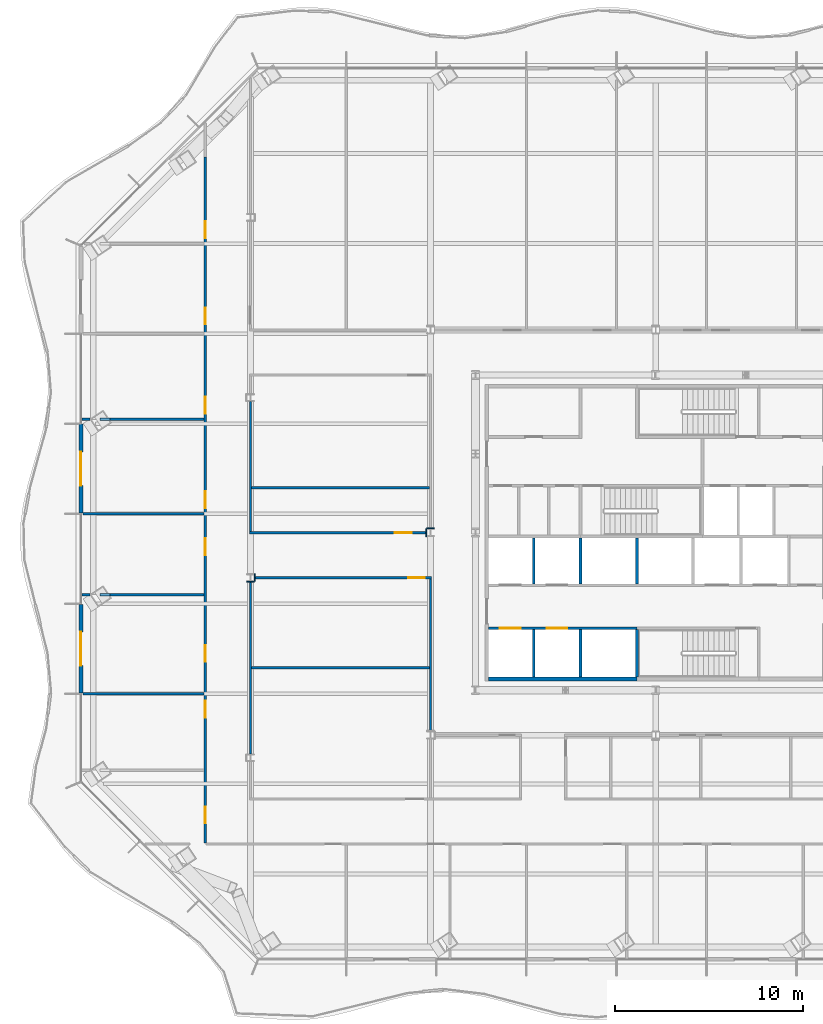
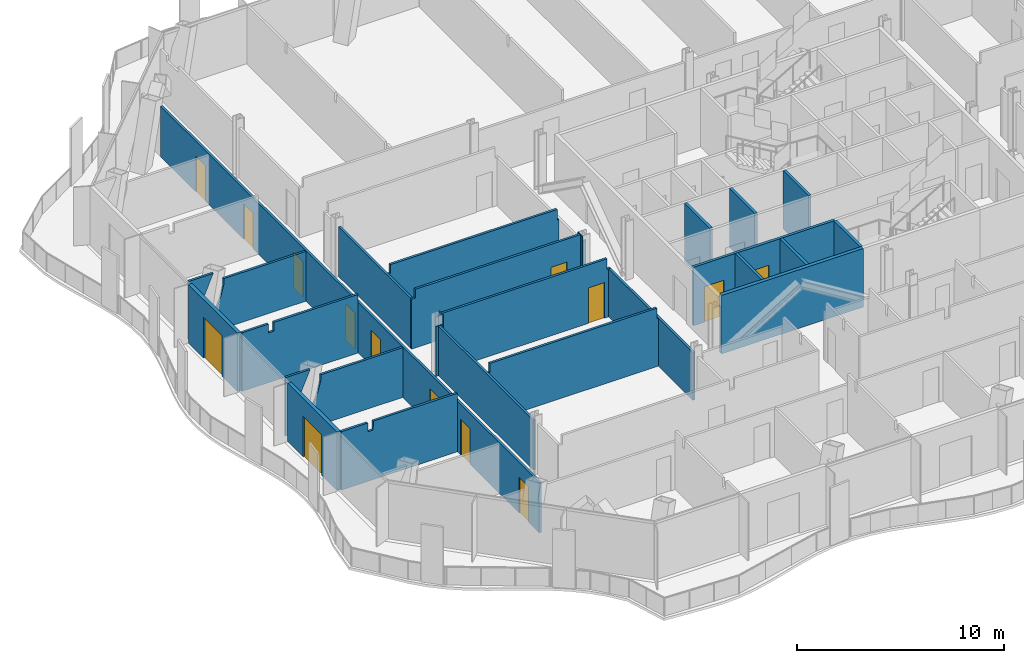
# One storey, part 8 of 22: 28 walls, 14 doors, 14 openings.
"""IFC4 building model written with IfcOpenShell, lengths in metres."""

from ifc_helpers import new_model, si_unit, direction, frame, frame_2d, origin, place, context, subcontext, project, spatial, polyline, rectangle, outline, extrude, material, layer, layer_set, type_object, element, fill, save


model = new_model("IFC4")

# Units and contexts
model_context = context("Model", 3, precision=1e-05, world=origin(), true_north=direction((0.0, 1.0)))
body_context = subcontext(model_context, "Body", "Model", "MODEL_VIEW")
ifc_project = project(units=[si_unit("LENGTHUNIT", "METRE"), si_unit("AREAUNIT", "SQUARE_METRE"), si_unit("VOLUMEUNIT", "CUBIC_METRE"), si_unit("PLANEANGLEUNIT", "RADIAN"), si_unit("MASSUNIT", "GRAM", prefix="KILO")], contexts=[model_context])

# Site, building, storey
site_placement = place(None, origin())
site = spatial("IfcSite", under=ifc_project, at=site_placement, CompositionType="ELEMENT")
building_placement = place(site_placement, origin())
building = spatial("IfcBuilding", under=site, at=building_placement, Name="Cairn Pilgrim Tower", CompositionType="ELEMENT")
storey_placement = place(building_placement, frame((0.0, 0.0, 105.0)))
storey = spatial("IfcBuildingStorey", under=building, at=storey_placement, Name="L25", CompositionType="ELEMENT", Elevation=105.0)

# Wall, opening, door
ifc_material_1 = material(Name="Bronze anodised aluminium insulated sandwich panel with mineral wool fill", Category="aluminium")
ifc_layer_1 = layer(ifc_material_1, 0.199951171875)
ifc_layer_set_1 = layer_set([ifc_layer_1], Name="BRONZE INFILL FRAME WALL 200")
wall_type_1 = type_object("IfcWallType", Name="BRONZE INFILL FRAME WALL 200", PredefinedType="NOTDEFINED", material=ifc_layer_set_1)
wall_1_placement = place(storey_placement, frame((-23.43701171875, 8.1787109375, 0.0), z_axis=(0.0, 0.0, 1.0), x_axis=(0.0, -1.0, 0.0)))
wall_1 = element("IfcWall", 1, at=wall_1_placement, inside=storey, type_object=wall_type_1, Name="Bronze infill frame wall IW-W3", PredefinedType="NOTDEFINED", context=body_context, shape_type="SweptSolid", body=[
    extrude(rectangle(XDim=4.739990234375, YDim=0.199951171875, at=frame_2d((2.3701171875, 0.0))), origin(), (0.0, 0.0, 1.0), 3.449951171875),
])
opening_1_placement = place(wall_1_placement, frame((1.4697265625, 0.0, 0.0)))
opening_1 = element("IfcOpeningElement", 2, at=opening_1_placement, cuts=wall_1, Name="Opening 2512B", PredefinedType="OPENING", context=body_context, shape_type="SweptSolid", body=[
    extrude(rectangle(XDim=1.800048828125, YDim=2.39990234375, at=frame_2d((0.89990234375, 1.199951171875))), frame((0.0, 0.10986328125, 0.0), z_axis=(0.0, -1.0, 0.0), x_axis=(1.0, 0.0, 0.0)), (0.0, 0.0, 1.0), 0.219970703125),
])
ifc_material_2 = material(Name="Bronze anodised aluminium frame with tinted low-E glass", Category="aluminium")
door_type_1 = type_object("IfcDoorType", Name="BALCONY SLIDING DOOR 1800x2400", OperationType="DOUBLE_DOOR_SLIDING", PredefinedType="DOOR", material=ifc_material_2)
door_1_placement = place(opening_1_placement, origin())
door_1 = element("IfcDoor", 3, at=door_1_placement, inside=storey, type_object=door_type_1, Name="Balcony sliding door 2512B", OperationType="SINGLE_SWING_LEFT", OverallHeight=2.39990234375, OverallWidth=1.800048828125, PredefinedType="DOOR", context=body_context, shape_type="SweptSolid", body=[
    extrude(rectangle(XDim=1.800048828125, YDim=2.39990234375, at=frame_2d((0.89990234375, 1.199951171875))), frame((0.0, 0.02490234375, 0.0), z_axis=(0.0, -1.0, 0.0), x_axis=(1.0, 0.0, 0.0)), (0.0, 0.0, 1.0), 0.050048828125),
])
fill(opening_1, door_1)

wall_2_placement = place(storey_placement, frame((-23.43701171875, -1.42138671875, 0.0), z_axis=(0.0, 0.0, 1.0), x_axis=(0.0, -1.0, 0.0)))
wall_2 = element("IfcWall", 4, at=wall_2_placement, inside=storey, type_object=wall_type_1, Name="Bronze infill frame wall IW-W5", PredefinedType="NOTDEFINED", context=body_context, shape_type="SweptSolid", body=[
    extrude(rectangle(XDim=4.739990234375, YDim=0.199951171875, at=frame_2d((2.3701171875, 0.0))), origin(), (0.0, 0.0, 1.0), 3.449951171875),
])
opening_2_placement = place(wall_2_placement, frame((1.4697265625, 0.0, 0.0)))
opening_2 = element("IfcOpeningElement", 5, at=opening_2_placement, cuts=wall_2, Name="Opening 2510B", PredefinedType="OPENING", context=body_context, shape_type="SweptSolid", body=[
    extrude(rectangle(XDim=1.800048828125, YDim=2.39990234375, at=frame_2d((0.89990234375, 1.199951171875))), frame((0.0, 0.10986328125, 0.0), z_axis=(0.0, -1.0, 0.0), x_axis=(1.0, 0.0, 0.0)), (0.0, 0.0, 1.0), 0.219970703125),
])
door_2_placement = place(opening_2_placement, origin())
door_2 = element("IfcDoor", 6, at=door_2_placement, inside=storey, type_object=door_type_1, Name="Balcony sliding door 2510B", OperationType="SINGLE_SWING_LEFT", OverallHeight=2.39990234375, OverallWidth=1.800048828125, PredefinedType="DOOR", context=body_context, shape_type="SweptSolid", body=[
    extrude(rectangle(XDim=1.800048828125, YDim=2.39990234375, at=frame_2d((0.89990234375, 1.199951171875))), frame((0.0, 0.02490234375, 0.0), z_axis=(0.0, -1.0, 0.0), x_axis=(1.0, 0.0, 0.0)), (0.0, 0.0, 1.0), 0.050048828125),
])
fill(opening_2, door_2)

# Wall
ifc_material_3 = material(Name="Concrete C32/40", Category="concrete")
ifc_layer_2 = layer(ifc_material_3, 0.199951171875)
ifc_layer_set_2 = layer_set([ifc_layer_2], Name="CORE OUTER WALL 200 EI 120")
wall_type_2 = type_object("IfcWallType", Name="CORE OUTER WALL 200 EI 120", PredefinedType="SOLIDWALL", material=ifc_layer_set_2)
wall_3_placement = place(storey_placement, frame((-1.699951171875, -5.39990234375, 0.0), z_axis=(0.0, 0.0, 1.0), x_axis=(1.0, 0.0, 0.0)))
element("IfcWall", 7, at=wall_3_placement, inside=storey, type_object=wall_type_2, Name="CW:L25:H01-1", PredefinedType="SOLIDWALL", context=body_context, shape_type="SweptSolid", body=[
    extrude(rectangle(XDim=7.89990234375, YDim=0.199951171875, at=frame_2d((3.949951171875, 0.0))), origin(), (0.0, 0.0, 1.0), 3.449951171875),
])

# Wall, openings, doors
ifc_layer_3 = layer(ifc_material_3, 0.14990234375)
ifc_layer_set_3 = layer_set([ifc_layer_3], Name="CORE SHAFT WALL 150 EI 120")
wall_type_3 = type_object("IfcWallType", Name="CORE SHAFT WALL 150 EI 120", PredefinedType="SOLIDWALL", material=ifc_layer_set_3)
wall_4_placement = place(storey_placement, frame((-1.699951171875, -2.699951171875, 0.0), z_axis=(0.0, 0.0, 1.0), x_axis=(1.0, 0.0, 0.0)))
wall_4 = element("IfcWall", 8, at=wall_4_placement, inside=storey, type_object=wall_type_3, Name="CW:L25:H02-1", PredefinedType="SOLIDWALL", context=body_context, shape_type="SweptSolid", body=[
    extrude(rectangle(XDim=7.89990234375, YDim=0.14990234375, at=frame_2d((3.949951171875, 0.0))), origin(), (0.0, 0.0, 1.0), 3.449951171875),
])
opening_3_placement = place(wall_4_placement, frame((0.60009765625, 0.0, 0.0)))
opening_3 = element("IfcOpeningElement", 9, at=opening_3_placement, cuts=wall_4, Name="Opening LD-LR1", PredefinedType="OPENING", context=body_context, shape_type="SweptSolid", body=[
    extrude(rectangle(XDim=1.10009765625, YDim=2.10009765625, at=frame_2d((0.550048828125, 1.050048828125))), frame((0.0, 0.0849609375, 0.0), z_axis=(0.0, -1.0, 0.0), x_axis=(1.0, 0.0, 0.0)), (0.0, 0.0, 1.0), 0.169921875),
])
opening_4_placement = place(wall_4_placement, frame((3.10009765625, 0.0, 0.0)))
opening_4 = element("IfcOpeningElement", 10, at=opening_4_placement, cuts=wall_4, Name="Opening LD-LR2", PredefinedType="OPENING", context=body_context, shape_type="SweptSolid", body=[
    extrude(rectangle(XDim=1.10009765625, YDim=2.10009765625, at=frame_2d((0.550048828125, 1.050048828125))), frame((0.0, 0.0849609375, 0.0), z_axis=(0.0, -1.0, 0.0), x_axis=(1.0, 0.0, 0.0)), (0.0, 0.0, 1.0), 0.169921875),
])
ifc_material_4 = material(Name="Stainless steel", Category="steel")
door_type_2 = type_object("IfcDoorType", Name="LIFT LANDING DOOR 1100x2100", OperationType="DOUBLE_DOOR_SLIDING", PredefinedType="DOOR", material=ifc_material_4)
door_3_placement = place(opening_3_placement, origin())
door_3 = element("IfcDoor", 11, at=door_3_placement, inside=storey, type_object=door_type_2, Name="LANDING DOOR LR1", OperationType="DOUBLE_DOOR_SLIDING", OverallHeight=2.10009765625, OverallWidth=1.10009765625, PredefinedType="DOOR", context=body_context, shape_type="SweptSolid", body=[
    extrude(rectangle(XDim=1.10009765625, YDim=2.10009765625, at=frame_2d((0.550048828125, 1.050048828125))), frame((0.0, 0.02490234375, 0.0), z_axis=(0.0, -1.0, 0.0), x_axis=(1.0, 0.0, 0.0)), (0.0, 0.0, 1.0), 0.050048828125),
])
fill(opening_3, door_3)
door_4_placement = place(opening_4_placement, origin())
door_4 = element("IfcDoor", 12, at=door_4_placement, inside=storey, type_object=door_type_2, Name="LANDING DOOR LR2", OperationType="DOUBLE_DOOR_SLIDING", OverallHeight=2.10009765625, OverallWidth=1.10009765625, PredefinedType="DOOR", context=body_context, shape_type="SweptSolid", body=[
    extrude(rectangle(XDim=1.10009765625, YDim=2.10009765625, at=frame_2d((0.550048828125, 1.050048828125))), frame((0.0, 0.02490234375, 0.0), z_axis=(0.0, -1.0, 0.0), x_axis=(1.0, 0.0, 0.0)), (0.0, 0.0, 1.0), 0.050048828125),
])
fill(opening_4, door_4)

# Walls
wall_5_placement = place(storey_placement, frame((0.699951171875, -5.300048828125, 0.0), z_axis=(0.0, 0.0, 1.0), x_axis=(0.0, 1.0, 0.0)))
element("IfcWall", 13, at=wall_5_placement, inside=storey, type_object=wall_type_3, Name="CW:L25:V14", PredefinedType="SOLIDWALL", context=body_context, shape_type="SweptSolid", body=[
    extrude(rectangle(XDim=2.525146484375, YDim=0.14990234375, at=frame_2d((1.2626953125, 0.0))), origin(), (0.0, 0.0, 1.0), 3.449951171875),
])
wall_6_placement = place(storey_placement, frame((0.699951171875, -0.324951171875, 0.0), z_axis=(0.0, 0.0, 1.0), x_axis=(0.0, 1.0, 0.0)))
element("IfcWall", 14, at=wall_6_placement, inside=storey, type_object=wall_type_3, Name="CW:L25:V15", PredefinedType="SOLIDWALL", context=body_context, shape_type="SweptSolid", body=[
    extrude(rectangle(XDim=2.449951171875, YDim=0.14990234375, at=frame_2d((1.22509765625, 0.0))), origin(), (0.0, 0.0, 1.0), 3.449951171875),
])
wall_7_placement = place(storey_placement, frame((3.199951171875, -5.300048828125, 0.0), z_axis=(0.0, 0.0, 1.0), x_axis=(0.0, 1.0, 0.0)))
element("IfcWall", 15, at=wall_7_placement, inside=storey, type_object=wall_type_3, Name="CW:L25:V17", PredefinedType="SOLIDWALL", context=body_context, shape_type="SweptSolid", body=[
    extrude(rectangle(XDim=2.525146484375, YDim=0.14990234375, at=frame_2d((1.2626953125, 0.0))), origin(), (0.0, 0.0, 1.0), 3.449951171875),
])
for number, where, z_axis, x_axis, name in (
    (16, (3.199951171875, -0.324951171875, 0.0), (0.0, 0.0, 1.0), (0.0, 1.0, 0.0), "CW:L25:V18"),
    (17, (6.199951171875, -0.324951171875, 0.0), (0.0, 0.0, 1.0), (0.0, 1.0, 0.0), "CW:L25:V22"),
):
    element("IfcWall", number, at=place(storey_placement, frame(where, z_axis=z_axis, x_axis=x_axis)), inside=storey, type_object=wall_type_3, Name=name, PredefinedType="SOLIDWALL", context=body_context, shape_type="SweptSolid", body=[
        extrude(rectangle(XDim=2.449951171875, YDim=0.14990234375, at=frame_2d((1.22509765625, 0.0))), origin(), (0.0, 0.0, 1.0), 3.449951171875),
    ])

# Wall, openings, doors
ifc_material_5 = material(Name="Gypsum partition")
ifc_layer_4 = layer(ifc_material_5, 0.125)
ifc_layer_set_4 = layer_set([ifc_layer_4], Name="PARTITION 125 DRYWALL EI 60")
wall_type_4 = type_object("IfcWallType", Name="PARTITION 125 DRYWALL EI 60", PredefinedType="PARTITIONING", material=ifc_layer_set_4)
wall_8_placement = place(storey_placement, frame((-16.800048828125, -14.137451171875, 0.0), z_axis=(0.0, 0.0, 1.0), x_axis=(0.0, 1.0, 0.0)))
wall_8 = element("IfcWall", 18, at=wall_8_placement, inside=storey, type_object=wall_type_4, Name="PARTITION W015", PredefinedType="PARTITIONING", context=body_context, shape_type="SweptSolid", body=[
    extrude(outline(polyline([(0.0, 0.0), (36.554443359375, 0.0), (36.554443359375, 0.862548828125), (36.554443359375, 1.72509765625), (36.554443359375, 2.58740234375), (36.554443359375, 2.97998046875), (0.0, 2.97998046875), (0.0, 2.58740234375), (0.0, 1.72509765625), (0.0, 0.862548828125), (0.0, 0.0)])), frame((0.0, 0.0625, 0.0), z_axis=(0.0, -1.0, 0.0), x_axis=(1.0, 0.0, 0.0)), (0.0, 0.0, 1.0), 0.125),
])
opening_5_placement = place(wall_8_placement, frame((1.03759765625, 0.0, 0.0)))
opening_5 = element("IfcOpeningElement", 19, at=opening_5_placement, cuts=wall_8, Name="Opening 2508", PredefinedType="OPENING", context=body_context, shape_type="SweptSolid", body=[
    extrude(rectangle(XDim=0.89990234375, YDim=2.10009765625, at=frame_2d((0.449951171875, 1.050048828125))), frame((0.0, 0.072509765625, 0.0), z_axis=(0.0, -1.0, 0.0), x_axis=(1.0, 0.0, 0.0)), (0.0, 0.0, 1.0), 0.14501953125),
])
opening_6_placement = place(wall_8_placement, frame((6.678466796875, 0.0, 0.0)))
opening_6 = element("IfcOpeningElement", 20, at=opening_6_placement, cuts=wall_8, Name="Opening 2509", PredefinedType="OPENING", context=body_context, shape_type="SweptSolid", body=[
    extrude(rectangle(XDim=0.89990234375, YDim=2.10009765625, at=frame_2d((0.449951171875, 1.050048828125))), frame((0.0, 0.072509765625, 0.0), z_axis=(0.0, -1.0, 0.0), x_axis=(1.0, 0.0, 0.0)), (0.0, 0.0, 1.0), 0.14501953125),
])
opening_7_placement = place(wall_8_placement, frame((9.646484375, 0.0, 0.0)))
opening_7 = element("IfcOpeningElement", 21, at=opening_7_placement, cuts=wall_8, Name="Opening 2510", PredefinedType="OPENING", context=body_context, shape_type="SweptSolid", body=[
    extrude(rectangle(XDim=0.89990234375, YDim=2.10009765625, at=frame_2d((0.449951171875, 1.050048828125))), frame((0.0, 0.072509765625, 0.0), z_axis=(0.0, -1.0, 0.0), x_axis=(1.0, 0.0, 0.0)), (0.0, 0.0, 1.0), 0.14501953125),
])
opening_8_placement = place(wall_8_placement, frame((15.33740234375, 0.0, 0.0)))
opening_8 = element("IfcOpeningElement", 22, at=opening_8_placement, cuts=wall_8, Name="Opening 2511", PredefinedType="OPENING", context=body_context, shape_type="SweptSolid", body=[
    extrude(rectangle(XDim=0.89990234375, YDim=2.10009765625, at=frame_2d((0.449951171875, 1.050048828125))), frame((0.0, 0.072509765625, 0.0), z_axis=(0.0, -1.0, 0.0), x_axis=(1.0, 0.0, 0.0)), (0.0, 0.0, 1.0), 0.14501953125),
])
opening_9_placement = place(wall_8_placement, frame((17.846435546875, 0.0, 0.0)))
opening_9 = element("IfcOpeningElement", 23, at=opening_9_placement, cuts=wall_8, Name="Opening 2512", PredefinedType="OPENING", context=body_context, shape_type="SweptSolid", body=[
    extrude(rectangle(XDim=0.89990234375, YDim=2.10009765625, at=frame_2d((0.449951171875, 1.050048828125))), frame((0.0, 0.072509765625, 0.0), z_axis=(0.0, -1.0, 0.0), x_axis=(1.0, 0.0, 0.0)), (0.0, 0.0, 1.0), 0.14501953125),
])
opening_10_placement = place(wall_8_placement, frame((22.881591796875, 0.0, 0.0)))
opening_10 = element("IfcOpeningElement", 24, at=opening_10_placement, cuts=wall_8, Name="Opening 2513", PredefinedType="OPENING", context=body_context, shape_type="SweptSolid", body=[
    extrude(rectangle(XDim=0.89990234375, YDim=2.10009765625, at=frame_2d((0.449951171875, 1.050048828125))), frame((0.0, 0.072509765625, 0.0), z_axis=(0.0, -1.0, 0.0), x_axis=(1.0, 0.0, 0.0)), (0.0, 0.0, 1.0), 0.14501953125),
])
opening_11_placement = place(wall_8_placement, frame((27.637451171875, 0.0, 0.0)))
opening_11 = element("IfcOpeningElement", 25, at=opening_11_placement, cuts=wall_8, Name="Opening 2514", PredefinedType="OPENING", context=body_context, shape_type="SweptSolid", body=[
    extrude(rectangle(XDim=0.89990234375, YDim=2.10009765625, at=frame_2d((0.449951171875, 1.050048828125))), frame((0.0, 0.072509765625, 0.0), z_axis=(0.0, -1.0, 0.0), x_axis=(1.0, 0.0, 0.0)), (0.0, 0.0, 1.0), 0.14501953125),
])
opening_12_placement = place(wall_8_placement, frame((32.232421875, 0.0, 0.0)))
opening_12 = element("IfcOpeningElement", 26, at=opening_12_placement, cuts=wall_8, Name="Opening 2515", PredefinedType="OPENING", context=body_context, shape_type="SweptSolid", body=[
    extrude(rectangle(XDim=0.89990234375, YDim=2.10009765625, at=frame_2d((0.449951171875, 1.050048828125))), frame((0.0, 0.072509765625, 0.0), z_axis=(0.0, -1.0, 0.0), x_axis=(1.0, 0.0, 0.0)), (0.0, 0.0, 1.0), 0.14501953125),
])
ifc_material_6 = material(Name="Steel-faced fire door leaf", Category="steel")
door_type_3 = type_object("IfcDoorType", Name="FIRE DOOR 900x2100 FD30S", OperationType="NOTDEFINED", PredefinedType="DOOR", material=ifc_material_6)
door_5_placement = place(opening_5_placement, origin())
door_5 = element("IfcDoor", 27, at=door_5_placement, inside=storey, type_object=door_type_3, Name="DOOR 2508", OperationType="SINGLE_SWING_LEFT", OverallHeight=2.10009765625, OverallWidth=0.89990234375, PredefinedType="DOOR", context=body_context, shape_type="SweptSolid", body=[
    extrude(rectangle(XDim=0.89990234375, YDim=2.10009765625, at=frame_2d((0.449951171875, 1.050048828125))), frame((0.0, 0.02490234375, 0.0), z_axis=(0.0, -1.0, 0.0), x_axis=(1.0, 0.0, 0.0)), (0.0, 0.0, 1.0), 0.050048828125),
])
fill(opening_5, door_5)
door_6_placement = place(opening_6_placement, origin())
door_6 = element("IfcDoor", 28, at=door_6_placement, inside=storey, type_object=door_type_3, Name="DOOR 2509", OperationType="SINGLE_SWING_RIGHT", OverallHeight=2.10009765625, OverallWidth=0.89990234375, PredefinedType="DOOR", context=body_context, shape_type="SweptSolid", body=[
    extrude(rectangle(XDim=0.89990234375, YDim=2.10009765625, at=frame_2d((0.449951171875, 1.050048828125))), frame((0.0, 0.02490234375, 0.0), z_axis=(0.0, -1.0, 0.0), x_axis=(1.0, 0.0, 0.0)), (0.0, 0.0, 1.0), 0.050048828125),
])
fill(opening_6, door_6)
door_7_placement = place(opening_7_placement, origin())
door_7 = element("IfcDoor", 29, at=door_7_placement, inside=storey, type_object=door_type_3, Name="DOOR 2510", OperationType="SINGLE_SWING_LEFT", OverallHeight=2.10009765625, OverallWidth=0.89990234375, PredefinedType="DOOR", context=body_context, shape_type="SweptSolid", body=[
    extrude(rectangle(XDim=0.89990234375, YDim=2.10009765625, at=frame_2d((0.449951171875, 1.050048828125))), frame((0.0, 0.02490234375, 0.0), z_axis=(0.0, -1.0, 0.0), x_axis=(1.0, 0.0, 0.0)), (0.0, 0.0, 1.0), 0.050048828125),
])
fill(opening_7, door_7)
door_8_placement = place(opening_8_placement, origin())
door_8 = element("IfcDoor", 30, at=door_8_placement, inside=storey, type_object=door_type_3, Name="DOOR 2511", OperationType="SINGLE_SWING_RIGHT", OverallHeight=2.10009765625, OverallWidth=0.89990234375, PredefinedType="DOOR", context=body_context, shape_type="SweptSolid", body=[
    extrude(rectangle(XDim=0.89990234375, YDim=2.10009765625, at=frame_2d((0.449951171875, 1.050048828125))), frame((0.0, 0.02490234375, 0.0), z_axis=(0.0, -1.0, 0.0), x_axis=(1.0, 0.0, 0.0)), (0.0, 0.0, 1.0), 0.050048828125),
])
fill(opening_8, door_8)
door_9_placement = place(opening_9_placement, origin())
door_9 = element("IfcDoor", 31, at=door_9_placement, inside=storey, type_object=door_type_3, Name="DOOR 2512", OperationType="SINGLE_SWING_LEFT", OverallHeight=2.10009765625, OverallWidth=0.89990234375, PredefinedType="DOOR", context=body_context, shape_type="SweptSolid", body=[
    extrude(rectangle(XDim=0.89990234375, YDim=2.10009765625, at=frame_2d((0.449951171875, 1.050048828125))), frame((0.0, 0.02490234375, 0.0), z_axis=(0.0, -1.0, 0.0), x_axis=(1.0, 0.0, 0.0)), (0.0, 0.0, 1.0), 0.050048828125),
])
fill(opening_9, door_9)
door_10_placement = place(opening_10_placement, origin())
door_10 = element("IfcDoor", 32, at=door_10_placement, inside=storey, type_object=door_type_3, Name="DOOR 2513", OperationType="SINGLE_SWING_RIGHT", OverallHeight=2.10009765625, OverallWidth=0.89990234375, PredefinedType="DOOR", context=body_context, shape_type="SweptSolid", body=[
    extrude(rectangle(XDim=0.89990234375, YDim=2.10009765625, at=frame_2d((0.449951171875, 1.050048828125))), frame((0.0, 0.02490234375, 0.0), z_axis=(0.0, -1.0, 0.0), x_axis=(1.0, 0.0, 0.0)), (0.0, 0.0, 1.0), 0.050048828125),
])
fill(opening_10, door_10)
door_11_placement = place(opening_11_placement, origin())
door_11 = element("IfcDoor", 33, at=door_11_placement, inside=storey, type_object=door_type_3, Name="DOOR 2514", OperationType="SINGLE_SWING_LEFT", OverallHeight=2.10009765625, OverallWidth=0.89990234375, PredefinedType="DOOR", context=body_context, shape_type="SweptSolid", body=[
    extrude(rectangle(XDim=0.89990234375, YDim=2.10009765625, at=frame_2d((0.449951171875, 1.050048828125))), frame((0.0, 0.02490234375, 0.0), z_axis=(0.0, -1.0, 0.0), x_axis=(1.0, 0.0, 0.0)), (0.0, 0.0, 1.0), 0.050048828125),
])
fill(opening_11, door_11)
door_12_placement = place(opening_12_placement, origin())
door_12 = element("IfcDoor", 34, at=door_12_placement, inside=storey, type_object=door_type_3, Name="DOOR 2515", OperationType="SINGLE_SWING_RIGHT", OverallHeight=2.10009765625, OverallWidth=0.89990234375, PredefinedType="DOOR", context=body_context, shape_type="SweptSolid", body=[
    extrude(rectangle(XDim=0.89990234375, YDim=2.10009765625, at=frame_2d((0.449951171875, 1.050048828125))), frame((0.0, 0.02490234375, 0.0), z_axis=(0.0, -1.0, 0.0), x_axis=(1.0, 0.0, 0.0)), (0.0, 0.0, 1.0), 0.050048828125),
])
fill(opening_12, door_12)

# Walls
wall_9_placement = place(storey_placement, frame((-14.39990234375, -9.403564453125, 0.0), z_axis=(0.0, 0.0, 1.0), x_axis=(0.0, 1.0, 0.0)))
element("IfcWall", 35, at=wall_9_placement, inside=storey, type_object=wall_type_4, Name="PARTITION W031", PredefinedType="PARTITIONING", context=body_context, shape_type="SweptSolid", body=[
    extrude(rectangle(XDim=9.20703125, YDim=0.125, at=frame_2d((4.603515625, 0.0))), origin(), (0.0, 0.0, 1.0), 2.929931640625),
])
wall_10_placement = place(storey_placement, frame((-4.800048828125, -8.1875, 0.0), z_axis=(0.0, 0.0, 1.0), x_axis=(0.0, 1.0, 0.0)))
element("IfcWall", 36, at=wall_10_placement, inside=storey, type_object=wall_type_4, Name="PARTITION W035", PredefinedType="PARTITIONING", context=body_context, shape_type="SweptSolid", body=[
    extrude(rectangle(XDim=8.125, YDim=0.125, at=frame_2d((4.0625, 0.0))), origin(), (0.0, 0.0, 1.0), 2.830078125),
])
wall_11_placement = place(storey_placement, frame((-23.337158203125, -6.19091796875, 0.0), z_axis=(0.0, 0.0, 1.0), x_axis=(1.0, 0.0, 0.0)))
element("IfcWall", 37, at=wall_11_placement, inside=storey, type_object=wall_type_4, Name="PARTITION W037", PredefinedType="PARTITIONING", context=body_context, shape_type="SweptSolid", body=[
    extrude(outline(polyline([(0.0, 0.0), (6.474609375, 0.0), (6.474609375, 3.449951171875), (1.77880859375, 3.449951171875), (1.776611328125, 2.929931640625), (1.478759765625, 2.929931640625), (1.476806640625, 3.449951171875), (0.0, 3.449951171875), (0.0, 0.0)])), frame((0.0, 0.0625, 0.0), z_axis=(0.0, -1.0, 0.0), x_axis=(1.0, 0.0, 0.0)), (0.0, 0.0, 1.0), 0.125),
])
wall_12_placement = place(storey_placement, frame((-14.33740234375, -4.800048828125, 0.0), z_axis=(0.0, 0.0, 1.0), x_axis=(1.0, 0.0, 0.0)))
element("IfcWall", 38, at=wall_12_placement, inside=storey, type_object=wall_type_4, Name="PARTITION W039", PredefinedType="PARTITIONING", context=body_context, shape_type="SweptSolid", body=[
    extrude(outline(polyline([(0.0, 0.0), (9.474853515625, 0.0), (9.47509765625, 2.830078125), (9.387451171875, 2.830078125), (9.385498046875, 3.449951171875), (0.08740234375, 3.449951171875), (0.08544921875, 2.929931640625), (0.0, 2.929931640625), (0.0, 0.0)])), frame((0.0, 0.0625, 0.0), z_axis=(0.0, -1.0, 0.0), x_axis=(1.0, 0.0, 0.0)), (0.0, 0.0, 1.0), 0.125),
])
wall_13_placement = place(storey_placement, frame((-23.39013671875, -0.907958984375, 0.0), z_axis=(0.0, 0.0, 1.0), x_axis=(1.0, 0.0, 0.0)))
element("IfcWall", 39, at=wall_13_placement, inside=storey, type_object=wall_type_4, Name="PARTITION W041", PredefinedType="PARTITIONING", context=body_context, shape_type="SweptSolid", body=[
    extrude(outline(polyline([(0.0, 0.0), (0.32666015625, 0.0), (0.330810546875, 0.862548828125), (0.622314453125, 1.72509765625), (0.99560546875, 2.58740234375), (1.368896484375, 3.449951171875), (0.0, 3.449951171875), (0.0, 2.58740234375), (0.0, 1.72509765625), (0.0, 0.862548828125), (0.0, 0.0)])), frame((0.0, 0.0625, 0.0), z_axis=(0.0, -1.0, 0.0), x_axis=(1.0, 0.0, 0.0)), (0.0, 0.0, 1.0), 0.125),
])
wall_14_placement = place(storey_placement, frame((-22.408935546875, -0.907958984375, 0.0), z_axis=(0.0, 0.0, 1.0), x_axis=(1.0, 0.0, 0.0)))
element("IfcWall", 40, at=wall_14_placement, inside=storey, type_object=wall_type_4, Name="PARTITION W042", PredefinedType="PARTITIONING", context=body_context, shape_type="SweptSolid", body=[
    extrude(outline(polyline([(0.0, 0.0), (5.54638671875, 0.0), (5.54638671875, 0.862548828125), (5.54638671875, 1.72509765625), (5.54638671875, 2.58740234375), (5.54638671875, 2.929931640625), (0.975341796875, 2.929931640625), (0.975341796875, 2.58740234375), (0.74658203125, 1.72509765625), (0.373291015625, 0.862548828125), (0.0, 0.0)])), frame((0.0, 0.0625, 0.0), z_axis=(0.0, -1.0, 0.0), x_axis=(1.0, 0.0, 0.0)), (0.0, 0.0, 1.0), 0.125),
])

# Wall, opening, door
wall_15_placement = place(storey_placement, frame((-14.200439453125, 0.0, 0.0), z_axis=(0.0, 0.0, 1.0), x_axis=(1.0, 0.0, 0.0)))
wall_15 = element("IfcWall", 41, at=wall_15_placement, inside=storey, type_object=wall_type_4, Name="PARTITION W043", PredefinedType="PARTITIONING", context=body_context, shape_type="SweptSolid", body=[
    extrude(outline(polyline([(0.0, 0.0), (9.462890625, 0.0), (9.462890625, 2.830078125), (9.25048828125, 2.830078125), (9.24853515625, 3.449951171875), (0.0, 3.449951171875), (0.0, 0.0)])), frame((0.0, 0.0625, 0.0), z_axis=(0.0, -1.0, 0.0), x_axis=(1.0, 0.0, 0.0)), (0.0, 0.0, 1.0), 0.125),
])
opening_13_placement = place(wall_15_placement, frame((8.200439453125, 0.0, 0.0)))
opening_13 = element("IfcOpeningElement", 42, at=opening_13_placement, cuts=wall_15, Name="Opening 2531", PredefinedType="OPENING", context=body_context, shape_type="SweptSolid", body=[
    extrude(rectangle(XDim=0.89990234375, YDim=2.10009765625, at=frame_2d((0.449951171875, 1.050048828125))), frame((0.0, 0.072509765625, 0.0), z_axis=(0.0, -1.0, 0.0), x_axis=(1.0, 0.0, 0.0)), (0.0, 0.0, 1.0), 0.14501953125),
])
door_13_placement = place(opening_13_placement, frame((0.89990234375, 0.0, 0.0), z_axis=(0.0, 0.0, 1.0), x_axis=(-1.0, 0.0, 0.0)))
door_13 = element("IfcDoor", 43, at=door_13_placement, inside=storey, type_object=door_type_3, Name="DOOR 2531", OperationType="SINGLE_SWING_RIGHT", OverallHeight=2.10009765625, OverallWidth=0.89990234375, PredefinedType="DOOR", context=body_context, shape_type="SweptSolid", body=[
    extrude(rectangle(XDim=0.89990234375, YDim=2.10009765625, at=frame_2d((0.449951171875, 1.050048828125))), frame((0.0, 0.02490234375, 0.0), z_axis=(0.0, -1.0, 0.0), x_axis=(1.0, 0.0, 0.0)), (0.0, 0.0, 1.0), 0.050048828125),
])
fill(opening_13, door_13)

wall_16_placement = place(storey_placement, frame((-14.46240234375, 2.39990234375, 0.0), z_axis=(0.0, 0.0, 1.0), x_axis=(1.0, 0.0, 0.0)))
wall_16 = element("IfcWall", 44, at=wall_16_placement, inside=storey, type_object=wall_type_4, Name="PARTITION W044", PredefinedType="PARTITIONING", context=body_context, shape_type="SweptSolid", body=[
    extrude(outline(polyline([(0.0, 0.0), (9.4580078125, 0.0), (9.4580078125, 3.449951171875), (0.21240234375, 3.449951171875), (0.21044921875, 2.929931640625), (0.0, 2.929931640625), (0.0, 0.0)])), frame((0.0, 0.0625, 0.0), z_axis=(0.0, -1.0, 0.0), x_axis=(1.0, 0.0, 0.0)), (0.0, 0.0, 1.0), 0.125),
])
opening_14_placement = place(wall_16_placement, frame((7.762451171875, 0.0, 0.0)))
opening_14 = element("IfcOpeningElement", 45, at=opening_14_placement, cuts=wall_16, Name="Opening 2532", PredefinedType="OPENING", context=body_context, shape_type="SweptSolid", body=[
    extrude(rectangle(XDim=0.89990234375, YDim=2.10009765625, at=frame_2d((0.449951171875, 1.050048828125))), frame((0.0, 0.072509765625, 0.0), z_axis=(0.0, -1.0, 0.0), x_axis=(1.0, 0.0, 0.0)), (0.0, 0.0, 1.0), 0.14501953125),
])
door_14_placement = place(opening_14_placement, origin())
door_14 = element("IfcDoor", 46, at=door_14_placement, inside=storey, type_object=door_type_3, Name="DOOR 2532", OperationType="SINGLE_SWING_LEFT", OverallHeight=2.10009765625, OverallWidth=0.89990234375, PredefinedType="DOOR", context=body_context, shape_type="SweptSolid", body=[
    extrude(rectangle(XDim=0.89990234375, YDim=2.10009765625, at=frame_2d((0.449951171875, 1.050048828125))), frame((0.0, 0.02490234375, 0.0), z_axis=(0.0, -1.0, 0.0), x_axis=(1.0, 0.0, 0.0)), (0.0, 0.0, 1.0), 0.050048828125),
])
fill(opening_14, door_14)

# Walls
wall_17_placement = place(storey_placement, frame((-14.39990234375, 2.46240234375, 0.0), z_axis=(0.0, 0.0, 1.0), x_axis=(0.0, 1.0, 0.0)))
element("IfcWall", 47, at=wall_17_placement, inside=storey, type_object=wall_type_4, Name="PARTITION W045", PredefinedType="PARTITIONING", context=body_context, shape_type="SweptSolid", body=[
    extrude(rectangle(XDim=6.941162109375, YDim=0.125, at=frame_2d((3.470703125, 0.0))), origin(), (0.0, 0.0, 1.0), 2.929931640625),
])
wall_18_placement = place(storey_placement, frame((-23.337158203125, 3.408935546875, 0.0), z_axis=(0.0, 0.0, 1.0), x_axis=(1.0, 0.0, 0.0)))
element("IfcWall", 48, at=wall_18_placement, inside=storey, type_object=wall_type_4, Name="PARTITION W048", PredefinedType="PARTITIONING", context=body_context, shape_type="SweptSolid", body=[
    extrude(outline(polyline([(0.0, 0.0), (6.474609375, 0.0), (6.474609375, 3.449951171875), (1.77880859375, 3.449951171875), (1.776611328125, 2.929931640625), (1.478759765625, 2.929931640625), (1.476806640625, 3.449951171875), (0.0, 3.449951171875), (0.0, 0.0)])), frame((0.0, 0.0625, 0.0), z_axis=(0.0, -1.0, 0.0), x_axis=(1.0, 0.0, 0.0)), (0.0, 0.0, 1.0), 0.125),
])
wall_19_placement = place(storey_placement, frame((-14.33740234375, 4.800048828125, 0.0), z_axis=(0.0, 0.0, 1.0), x_axis=(1.0, 0.0, 0.0)))
element("IfcWall", 49, at=wall_19_placement, inside=storey, type_object=wall_type_4, Name="PARTITION W051", PredefinedType="PARTITIONING", context=body_context, shape_type="SweptSolid", body=[
    extrude(outline(polyline([(0.0, 0.0), (9.474853515625, 0.0), (9.47509765625, 2.830078125), (9.387451171875, 2.830078125), (9.385498046875, 3.449951171875), (0.08740234375, 3.449951171875), (0.08544921875, 2.929931640625), (0.0, 2.929931640625), (0.0, 0.0)])), frame((0.0, 0.0625, 0.0), z_axis=(0.0, -1.0, 0.0), x_axis=(1.0, 0.0, 0.0)), (0.0, 0.0, 1.0), 0.125),
])
wall_20_placement = place(storey_placement, frame((-23.39013671875, 8.444091796875, 0.0), z_axis=(0.0, 0.0, 1.0), x_axis=(1.0, 0.0, 0.0)))
element("IfcWall", 50, at=wall_20_placement, inside=storey, type_object=wall_type_4, Name="PARTITION W055", PredefinedType="PARTITIONING", context=body_context, shape_type="SweptSolid", body=[
    extrude(outline(polyline([(0.0, 0.0), (0.327392578125, 0.0), (0.330810546875, 0.862548828125), (0.6220703125, 1.72509765625), (0.995361328125, 2.58740234375), (1.36865234375, 3.449951171875), (0.0, 3.449951171875), (0.0, 2.58740234375), (0.0, 1.72509765625), (0.0, 0.862548828125), (0.0, 0.0)])), frame((0.0, 0.0625, 0.0), z_axis=(0.0, -1.0, 0.0), x_axis=(1.0, 0.0, 0.0)), (0.0, 0.0, 1.0), 0.125),
])
wall_21_placement = place(storey_placement, frame((-22.4091796875, 8.444091796875, 0.0), z_axis=(0.0, 0.0, 1.0), x_axis=(1.0, 0.0, 0.0)))
element("IfcWall", 51, at=wall_21_placement, inside=storey, type_object=wall_type_4, Name="PARTITION W056", PredefinedType="PARTITIONING", context=body_context, shape_type="SweptSolid", body=[
    extrude(outline(polyline([(0.0, 0.0), (5.546875, 0.0), (5.546875, 0.862548828125), (5.546875, 1.72509765625), (5.546875, 2.58740234375), (5.546875, 2.929931640625), (0.9765625, 2.929931640625), (0.9765625, 2.58740234375), (0.74658203125, 1.72509765625), (0.373291015625, 0.862548828125), (0.0, 0.0)])), frame((0.0, 0.0625, 0.0), z_axis=(0.0, -1.0, 0.0), x_axis=(1.0, 0.0, 0.0)), (0.0, 0.0, 1.0), 0.125),
])
ifc_layer_5 = layer(ifc_material_5, 0.050048828125)
ifc_layer_set_5 = layer_set([ifc_layer_5], Name="PARTITION 50 DRYWALL EI 60")
wall_type_5 = type_object("IfcWallType", Name="PARTITION 50 DRYWALL EI 60", PredefinedType="PARTITIONING", material=ifc_layer_set_5)
wall_22_placement = place(storey_placement, frame((-14.175537109375, -0.196533203125, 0.0), z_axis=(0.0, 0.0, 1.0), x_axis=(0.0, 1.0, 0.0)))
element("IfcWall", 52, at=wall_22_placement, inside=storey, type_object=wall_type_5, Name="COLUMN CASING WC02", PredefinedType="PARTITIONING", context=body_context, shape_type="SweptSolid", body=[
    extrude(rectangle(XDim=0.39306640625, YDim=0.050048828125, at=frame_2d((0.196533203125, 0.0))), origin(), (0.0, 0.0, 1.0), 3.449951171875),
])
wall_23_placement = place(storey_placement, frame((-14.599609375, -0.221435546875, 0.0), z_axis=(0.0, 0.0, 1.0), x_axis=(1.0, 0.0, 0.0)))
element("IfcWall", 53, at=wall_23_placement, inside=storey, type_object=wall_type_5, Name="COLUMN CASING WC08", PredefinedType="PARTITIONING", context=body_context, shape_type="SweptSolid", body=[
    extrude(rectangle(XDim=0.399169921875, YDim=0.050048828125, at=frame_2d((0.19970703125, 0.0))), origin(), (0.0, 0.0, 1.0), 2.929931640625),
])
wall_24_placement = place(storey_placement, frame((-5.00439453125, 2.637451171875, 0.0), z_axis=(0.0, 0.0, 1.0), x_axis=(1.0, 0.0, 0.0)))
element("IfcWall", 54, at=wall_24_placement, inside=storey, type_object=wall_type_5, Name="COLUMN CASING WC09", PredefinedType="PARTITIONING", context=body_context, shape_type="SweptSolid", body=[
    extrude(rectangle(XDim=0.408935546875, YDim=0.050048828125, at=frame_2d((0.20458984375, 0.0))), origin(), (0.0, 0.0, 1.0), 2.830078125),
])
wall_25_placement = place(storey_placement, frame((-5.029541015625, 2.1875, 0.0), z_axis=(0.0, 0.0, 1.0), x_axis=(0.0, 1.0, 0.0)))
element("IfcWall", 55, at=wall_25_placement, inside=storey, type_object=wall_type_5, Name="COLUMN CASING WC11", PredefinedType="PARTITIONING", context=body_context, shape_type="SweptSolid", body=[
    extrude(rectangle(XDim=0.425048828125, YDim=0.050048828125, at=frame_2d((0.21240234375, 0.0))), origin(), (0.0, 0.0, 1.0), 3.449951171875),
])
ifc_material_7 = material(Name="Concrete C35/45", Category="concrete")
ifc_layer_6 = layer(ifc_material_7, 0.14990234375)
ifc_layer_set_6 = layer_set([ifc_layer_6], Name="STAIR SHAFT WALL 150 EI 120")
wall_type_6 = type_object("IfcWallType", Name="STAIR SHAFT WALL 150 EI 120", PredefinedType="SOLIDWALL", material=ifc_layer_set_6)
wall_26_placement = place(storey_placement, frame((6.199951171875, -5.300048828125, 0.0), z_axis=(0.0, 0.0, 1.0), x_axis=(0.0, 1.0, 0.0)))
element("IfcWall", 56, at=wall_26_placement, inside=storey, type_object=wall_type_6, Name="CW:L25:V21", PredefinedType="SOLIDWALL", context=body_context, shape_type="SweptSolid", body=[
    extrude(rectangle(XDim=2.525146484375, YDim=0.14990234375, at=frame_2d((1.2626953125, 0.0))), origin(), (0.0, 0.0, 1.0), 3.449951171875),
])

save(model, "model.ifc")
